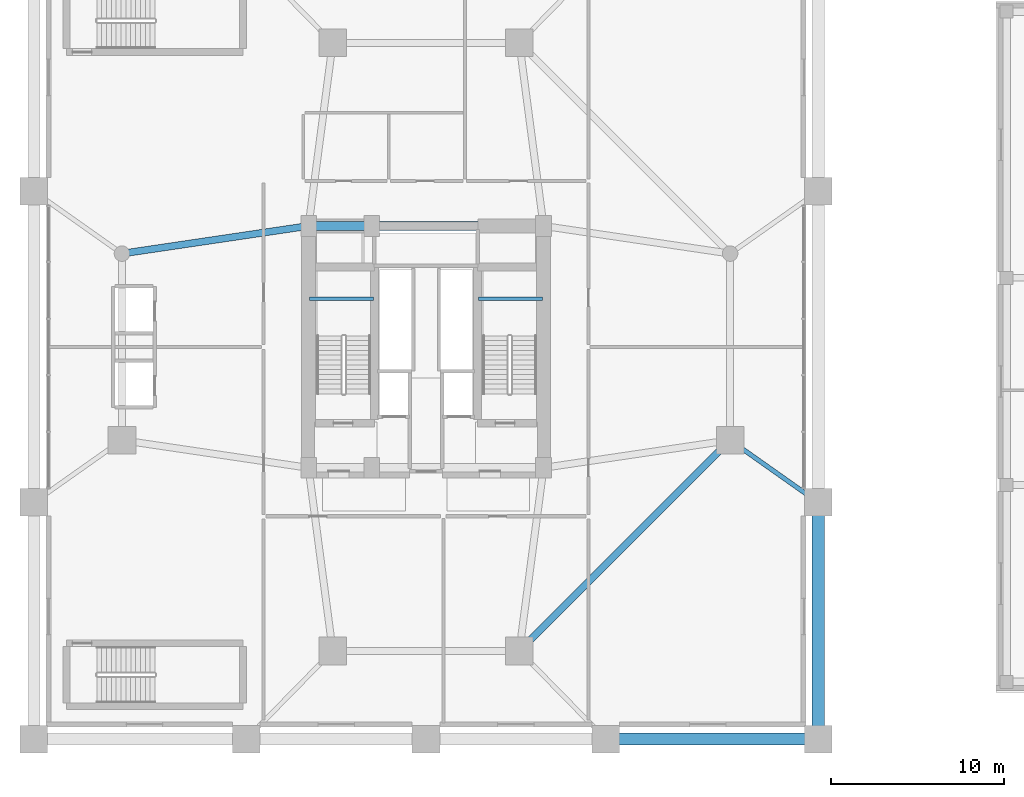
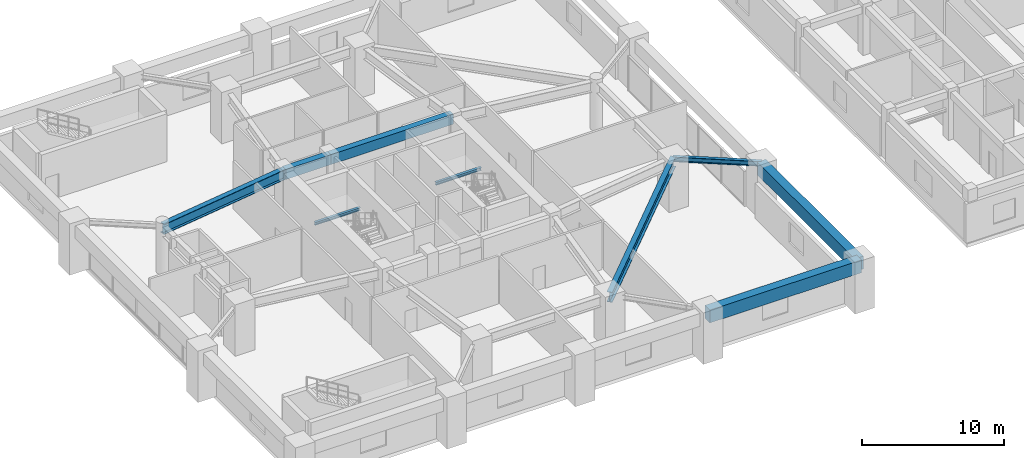
# One storey, part 7 of 22: 9 beams.
"""IFC4 building model written with IfcOpenShell, lengths in metres."""

from ifc_helpers import new_model, si_unit, direction, frame, origin, origin_2d, place, context, subcontext, project, spatial, rectangle, i_section, extrude, material, material_profile, profile_set, type_object, element, save


model = new_model("IFC4")

# Units and contexts
model_context = context("Model", 3, precision=1e-05, world=origin(), true_north=direction((0.0, 1.0)))
body_context = subcontext(model_context, "Body", "Model", "MODEL_VIEW")
ifc_project = project(units=[si_unit("LENGTHUNIT", "METRE"), si_unit("AREAUNIT", "SQUARE_METRE"), si_unit("VOLUMEUNIT", "CUBIC_METRE"), si_unit("PLANEANGLEUNIT", "RADIAN"), si_unit("MASSUNIT", "GRAM", prefix="KILO")], contexts=[model_context])

# Site, building, storey
site_placement = place(None, origin())
site = spatial("IfcSite", under=ifc_project, at=site_placement, CompositionType="ELEMENT")
building_placement = place(site_placement, origin())
building = spatial("IfcBuilding", under=site, at=building_placement, Name="Veraguas Prism Commons", CompositionType="ELEMENT")
storey_placement = place(building_placement, frame((0.0, 0.0, 5.199951171875)))
storey = spatial("IfcBuildingStorey", under=building, at=storey_placement, Name="L01", CompositionType="ELEMENT", Elevation=5.199951171875)

# Beams
ifc_material_1 = material(Name="Steel ASTM A992 Grade 50", Category="steel")
ifc_material_profile_1 = material_profile(ifc_material_1, i_section(OverallWidth=0.403076171875, OverallDepth=0.867919921875, WebThickness=0.02099609375, FlangeThickness=0.03564453125, at=origin_2d()), Name="W840X359")
ifc_profile_set_1 = profile_set([ifc_material_profile_1], Name="Steel ASTM A992 Grade 50")
beam_type_1 = type_object("IfcBeamType", Name="Concourse Primary Girder W840x359", PredefinedType="BEAM", material=ifc_profile_set_1)
beam_1_placement = place(storey_placement, frame((6.39990234375, 29.39990234375, 3.666015625), z_axis=(0.989202261707, 0.146556765224, 0.0), x_axis=(-0.146556765224, 0.989202261707, 0.0)))
element("IfcBeam", 1, at=beam_1_placement, inside=storey, type_object=beam_type_1, Name="Concourse Radial Girder L01-TMR05", PredefinedType="BEAM", context=body_context, shape_type="SweptSolid", body=[
    extrude(i_section(OverallWidth=0.403076171875, OverallDepth=0.867919921875, WebThickness=0.02099609375, FlangeThickness=0.03564453125, at=origin_2d()), origin(), (0.0, 0.0, 1.0), 10.91796875),
])
beam_2_placement = place(storey_placement, frame((29.39990234375, 6.39990234375, 3.666015625), z_axis=(0.707106781187, 0.707106781187, 0.0), x_axis=(-0.707106781187, 0.707106781187, 0.0)))
element("IfcBeam", 2, at=beam_2_placement, inside=storey, type_object=beam_type_1, Name="Concourse Ring Girder L01-TMH08", PredefinedType="BEAM", context=body_context, shape_type="SweptSolid", body=[
    extrude(i_section(OverallWidth=0.403076171875, OverallDepth=0.867919921875, WebThickness=0.02099609375, FlangeThickness=0.03564453125, at=origin_2d()), origin(), (0.0, 0.0, 1.0), 17.253662109375),
])
ifc_material_2 = material(Name="Concrete C50/60", Category="concrete")
ifc_material_profile_2 = material_profile(ifc_material_2, rectangle(XDim=0.5, YDim=0.85009765625, at=origin_2d()), Name="RC500X850")
ifc_profile_set_2 = profile_set([ifc_material_profile_2], Name="Concrete C50/60")
beam_type_2 = type_object("IfcBeamType", Name="Core Coupling Beam RC 500x850", PredefinedType="BEAM", material=ifc_profile_set_2)
beam_3_placement = place(storey_placement, frame((17.199951171875, 31.0, 3.675048828125), z_axis=(1.0, 0.0, 0.0), x_axis=(0.0, 1.0, 0.0)))
element("IfcBeam", 3, at=beam_3_placement, inside=storey, type_object=beam_type_2, Name="Core Coupling Beam L01-CRN1", PredefinedType="BEAM", context=body_context, shape_type="SweptSolid", body=[
    extrude(rectangle(XDim=0.5, YDim=0.85009765625, at=origin_2d()), origin(), (0.0, 0.0, 1.0), 3.650146484375),
])
beam_4_placement = place(storey_placement, frame((20.85009765625, 31.0, 3.675048828125), z_axis=(1.0, 0.0, 0.0), x_axis=(0.0, 1.0, 0.0)))
element("IfcBeam", 4, at=beam_4_placement, inside=storey, type_object=beam_type_2, Name="Core Coupling Beam L01-CRN2", PredefinedType="BEAM", context=body_context, shape_type="SweptSolid", body=[
    extrude(rectangle(XDim=0.5, YDim=0.85009765625, at=origin_2d()), origin(), (0.0, 0.0, 1.0), 9.949951171875),
])
ifc_material_profile_3 = material_profile(ifc_material_1, i_section(OverallWidth=0.260986328125, OverallDepth=0.419921875, WebThickness=0.01171875, FlangeThickness=0.019287109375, at=origin_2d()), Name="W410X114")
ifc_profile_set_3 = profile_set([ifc_material_profile_3], Name="Steel ASTM A992 Grade 50")
beam_type_3 = type_object("IfcBeamType", Name="Lower Floor Joist W410x114", PredefinedType="JOIST", material=ifc_profile_set_3)
beam_5_placement = place(storey_placement, frame((41.60009765625, 18.60009765625, 3.89013671875), z_axis=(0.816952688962, -0.576704693927, 0.0), x_axis=(0.576704693927, 0.816952688962, 0.0)))
element("IfcBeam", 5, at=beam_5_placement, inside=storey, type_object=beam_type_3, Name="Podium Tie Beam L01-TMT01", PredefinedType="JOIST", context=body_context, shape_type="SweptSolid", body=[
    extrude(i_section(OverallWidth=0.260986328125, OverallDepth=0.419921875, WebThickness=0.01171875, FlangeThickness=0.019287109375, at=origin_2d()), origin(), (0.0, 0.0, 1.0), 6.242431640625),
])
ifc_material_profile_4 = material_profile(ifc_material_2, rectangle(XDim=0.699951171875, YDim=1.10009765625, at=origin_2d()), Name="RC700X1100")
ifc_profile_set_4 = profile_set([ifc_material_profile_4], Name="Concrete C50/60")
beam_type_4 = type_object("IfcBeamType", Name="Podium Primary Girder RC 700x1100", PredefinedType="BEAM", material=ifc_profile_set_4)
beam_6_placement = place(storey_placement, frame((34.39990234375, 1.300048828125, 3.550048828125), z_axis=(1.0, 0.0, 0.0), x_axis=(0.0, 1.0, 0.0)))
element("IfcBeam", 6, at=beam_6_placement, inside=storey, type_object=beam_type_4, Name="Podium Perimeter Girder L01-PDR04", PredefinedType="BEAM", context=body_context, shape_type="SweptSolid", body=[
    extrude(rectangle(XDim=0.699951171875, YDim=1.10009765625, at=origin_2d()), origin(), (0.0, 0.0, 1.0), 12.300048828125),
])
beam_7_placement = place(storey_placement, frame((46.699951171875, 1.300048828125, 3.550048828125), z_axis=(0.0, 1.0, 0.0), x_axis=(-1.0, 0.0, 0.0)))
element("IfcBeam", 7, at=beam_7_placement, inside=storey, type_object=beam_type_4, Name="Podium Perimeter Girder L01-PDR05", PredefinedType="BEAM", context=body_context, shape_type="SweptSolid", body=[
    extrude(rectangle(XDim=0.699951171875, YDim=1.10009765625, at=origin_2d()), origin(), (0.0, 0.0, 1.0), 13.699951171875),
])
ifc_material_profile_5 = material_profile(ifc_material_1, i_section(OverallWidth=0.202880859375, OverallDepth=0.251953125, WebThickness=0.008056640625, FlangeThickness=0.013427734375, at=origin_2d()), Name="W250X58")
ifc_profile_set_5 = profile_set([ifc_material_profile_5], Name="Steel ASTM A992 Grade 50")
beam_type_5 = type_object("IfcBeamType", Name="Structural Opening Lintel W250x58", PredefinedType="LINTEL", material=ifc_profile_set_5)
for number, where, z_axis, x_axis, name in (
    (8, (17.25, 26.800048828125, 1.8740234375), (1.0, 0.0, 0.0), (0.0, 1.0, 0.0), "Stair ST-01 Half-Landing Support Beam L01-1"),
    (9, (27.050048828125, 26.800048828125, 1.8740234375), (1.0, 0.0, 0.0), (0.0, 1.0, 0.0), "Stair ST-02 Half-Landing Support Beam L01-1"),
):
    element("IfcBeam", number, at=place(storey_placement, frame(where, z_axis=z_axis, x_axis=x_axis)), inside=storey, type_object=beam_type_5, Name=name, PredefinedType="LINTEL", context=body_context, shape_type="SweptSolid", body=[
        extrude(i_section(OverallWidth=0.202880859375, OverallDepth=0.251953125, WebThickness=0.008056640625, FlangeThickness=0.013427734375, at=origin_2d()), origin(), (0.0, 0.0, 1.0), 3.699951171875),
    ])

save(model, "model.ifc")
